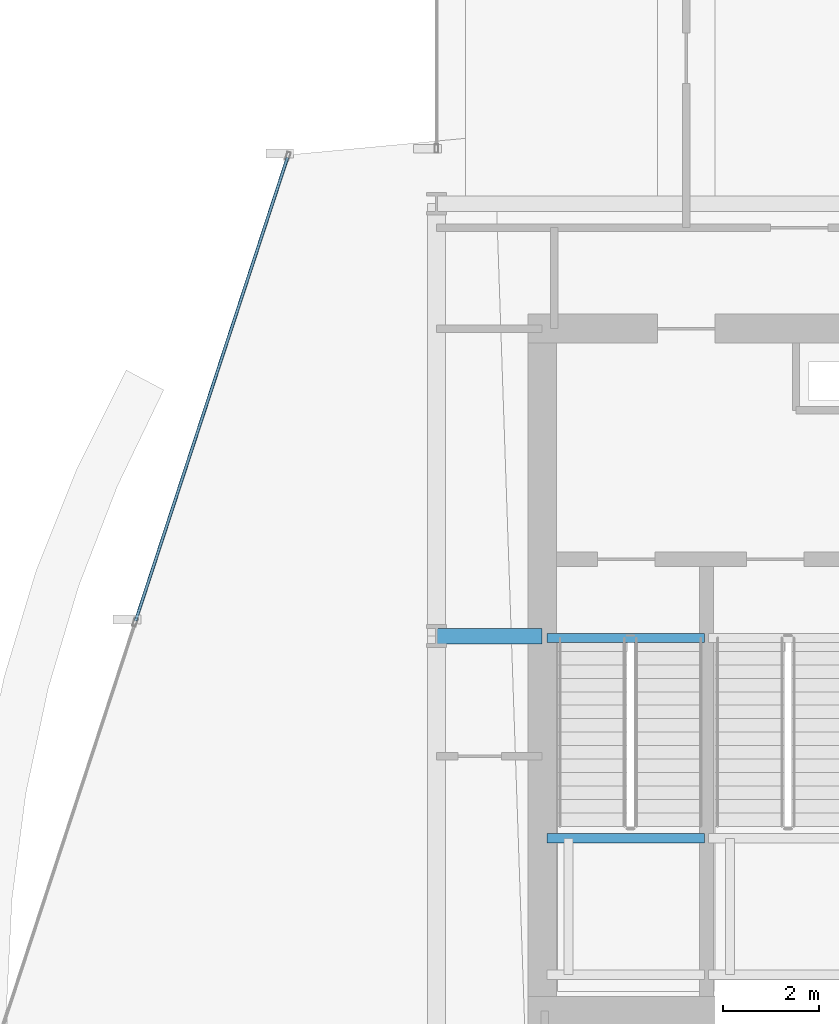
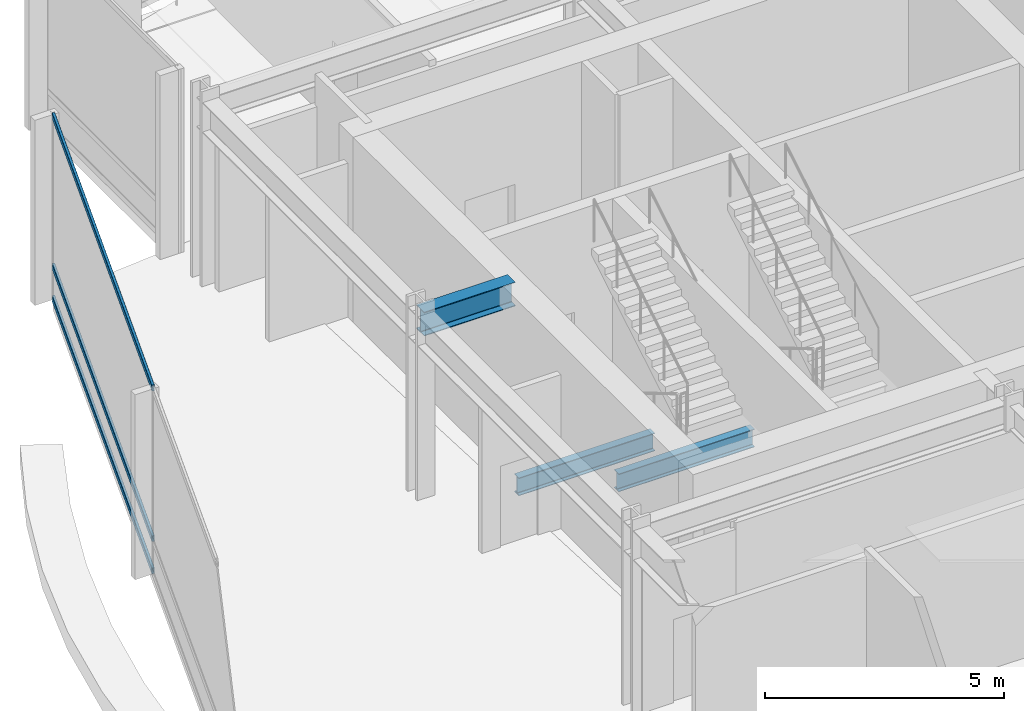
# One storey, part 20 of 39: 3 beams, 3 members, 1 element without a shape of its own.
"""IFC4 building model written with IfcOpenShell, lengths in metres."""

from ifc_helpers import new_model, si_unit, direction, frame, origin, origin_2d, place, context, subcontext, project, spatial, hollow_rectangle, i_section, extrude, material, layer, layer_set, material_profile, profile_set, type_object, element, aggregate, save


model = new_model("IFC4")

# Units and contexts
model_context = context("Model", 3, precision=1e-05, world=origin(), true_north=direction((0.0, 1.0)))
body_context = subcontext(model_context, "Body", "Model", "MODEL_VIEW")
ifc_project = project(units=[si_unit("LENGTHUNIT", "METRE"), si_unit("AREAUNIT", "SQUARE_METRE"), si_unit("VOLUMEUNIT", "CUBIC_METRE"), si_unit("PLANEANGLEUNIT", "RADIAN"), si_unit("MASSUNIT", "GRAM", prefix="KILO")], contexts=[model_context])

# Site, building, storey
site_placement = place(None, origin())
site = spatial("IfcSite", under=ifc_project, at=site_placement, CompositionType="ELEMENT")
building_placement = place(site_placement, origin())
building = spatial("IfcBuilding", under=site, at=building_placement, Name="Solvaryn Broadcast Tower", CompositionType="ELEMENT")
storey_placement = place(building_placement, frame((0.0, 0.0, 84.10009765625)))
storey = spatial("IfcBuildingStorey", under=building, at=storey_placement, Name="L20", CompositionType="ELEMENT", Elevation=84.10009765625)

# Beams
ifc_material_1 = material(Name="Steel ASTM A992 Grade 50", Category="steel")
ifc_material_profile_1 = material_profile(ifc_material_1, i_section(OverallWidth=0.323974609375, OverallDepth=0.611083984375, WebThickness=0.0126953125, FlangeThickness=0.01904296875, FilletRadius=0.014892578125, at=origin_2d()))
ifc_profile_set_1 = profile_set([ifc_material_profile_1], Name="Steel ASTM A992 Grade 50")
beam_type_1 = type_object("IfcBeamType", Name="BM-B1-W24X104", PredefinedType="BEAM", material=ifc_profile_set_1)
beam_placement = place(storey_placement, frame((9.0, 36.0, 4.414306640625), z_axis=(1.0, 0.0, 0.0), x_axis=(0.0, 1.0, 0.0)))
element("IfcBeam", 1, at=beam_placement, inside=storey, type_object=beam_type_1, Name="L20 Core Tie Beam CTW1", PredefinedType="BEAM", context=body_context, shape_type="SweptSolid", body=[
    extrude(i_section(OverallWidth=0.323974609375, OverallDepth=0.611083984375, WebThickness=0.0126953125, FlangeThickness=0.01904296875, FilletRadius=0.014892578125, at=origin_2d()), origin(), (0.0, 0.0, 1.0), 2.199951171875),
])
ifc_material_2 = material(Name="Steel ASTM A992 Grade 50", Category="steel")
ifc_material_profile_2 = material_profile(ifc_material_2, i_section(OverallWidth=0.18994140625, OverallDepth=0.45703125, WebThickness=0.009033203125, FlangeThickness=0.014404296875, FilletRadius=0.011962890625, at=origin_2d()))
ifc_profile_set_2 = profile_set([ifc_material_profile_2], Name="Steel ASTM A992 Grade 50")
beam_type_2 = type_object("IfcBeamType", Name="BM-B4-W18X50", PredefinedType="BEAM", material=ifc_profile_set_2)
for number, where, z_axis, x_axis, name in (
    (2, (11.300048828125, 35.9599609375, -0.55859375), (1.0, 0.0, 0.0), (0.0, 1.0, 0.0), "L20 ST1 Stair Well Trimmer Beam"),
    (3, (11.300048828125, 31.7900390625, 2.0712890625), (1.0, 0.0, 0.0), (0.0, 1.0, 0.0), "L20 ST1 Landing Support Beam 1B"),
):
    element("IfcBeam", number, at=place(storey_placement, frame(where, z_axis=z_axis, x_axis=x_axis)), inside=storey, type_object=beam_type_2, Name=name, PredefinedType="BEAM", context=body_context, shape_type="SweptSolid", body=[
        extrude(i_section(OverallWidth=0.18994140625, OverallDepth=0.45703125, WebThickness=0.009033203125, FlangeThickness=0.014404296875, FilletRadius=0.011962890625, at=origin_2d()), origin(), (0.0, 0.0, 1.0), 3.280029296875),
    ])

# Curtain wall, members
ifc_material_3 = material(Name="Aluminium and Terracotta Unitised Curtain Wall", Category="masonry")
ifc_layer = layer(ifc_material_3, 0.25)
ifc_layer_set = layer_set([ifc_layer], Name="CW-SYS4-SKYGARDEN")
curtain_wall_type = type_object("IfcCurtainWallType", Name="CW-SYS4-SKYGARDEN", PredefinedType="NOTDEFINED", material=ifc_layer_set)
curtain_wall_placement = place(storey_placement, origin())
curtain_wall = element("IfcCurtainWall", 4, at=curtain_wall_placement, inside=storey, type_object=curtain_wall_type, Name="L20 Curtain Wall DR1", PredefinedType="NOTDEFINED")
ifc_material_4 = material(Name="Anodised Aluminium 6063-T6", Category="aluminium")
ifc_material_profile_3 = material_profile(ifc_material_4, hollow_rectangle(XDim=0.06494140625, YDim=0.14990234375, WallThickness=0.00390625, InnerFilletRadius=0.00390625, OuterFilletRadius=0.008056640625, at=origin_2d()))
ifc_profile_set_3 = profile_set([ifc_material_profile_3], Name="Anodised Aluminium 6063-T6")
member_type = type_object("IfcMemberType", Name="CW-TRN-150", PredefinedType="USERDEFINED", material=ifc_profile_set_3)
member_1_placement = place(storey_placement, frame((5.897216796875, 45.958984375, 0.02978515625), z_axis=(-0.311583076016, -0.950218915167, 0.0), x_axis=(0.950218915167, -0.311583076016, 0.0)))
member_1 = element("IfcMember", 5, at=member_1_placement, type_object=member_type, Name="CWS4 transom 1.1", ObjectType="TRANSOM", PredefinedType="USERDEFINED", context=body_context, shape_type="SweptSolid", body=[
    extrude(hollow_rectangle(XDim=0.06494140625, YDim=0.14990234375, WallThickness=0.00390625, InnerFilletRadius=0.00390625, OuterFilletRadius=0.008056640625, at=origin_2d()), origin(), (0.0, 0.0, 1.0), 10.147705078125),
])
member_2_placement = place(storey_placement, frame((5.897216796875, 45.958984375, 0.849853515625), z_axis=(-0.311583076016, -0.950218915167, 0.0), x_axis=(0.950218915167, -0.311583076016, 0.0)))
member_2 = element("IfcMember", 6, at=member_2_placement, type_object=member_type, Name="CWS4 transom 1.2", ObjectType="TRANSOM", PredefinedType="USERDEFINED", context=body_context, shape_type="SweptSolid", body=[
    extrude(hollow_rectangle(XDim=0.06494140625, YDim=0.14990234375, WallThickness=0.00390625, InnerFilletRadius=0.00390625, OuterFilletRadius=0.008056640625, at=origin_2d()), origin(), (0.0, 0.0, 1.0), 10.147705078125),
])
member_3_placement = place(storey_placement, frame((5.897216796875, 45.958984375, 4.68994140625), z_axis=(-0.311583076016, -0.950218915167, 0.0), x_axis=(0.950218915167, -0.311583076016, 0.0)))
member_3 = element("IfcMember", 7, at=member_3_placement, type_object=member_type, Name="CWS4 transom 1.3", ObjectType="TRANSOM", PredefinedType="USERDEFINED", context=body_context, shape_type="SweptSolid", body=[
    extrude(hollow_rectangle(XDim=0.06494140625, YDim=0.14990234375, WallThickness=0.00390625, InnerFilletRadius=0.00390625, OuterFilletRadius=0.008056640625, at=origin_2d()), origin(), (0.0, 0.0, 1.0), 10.147705078125),
])
aggregate(curtain_wall, [member_1, member_2, member_3])

save(model, "model.ifc")
